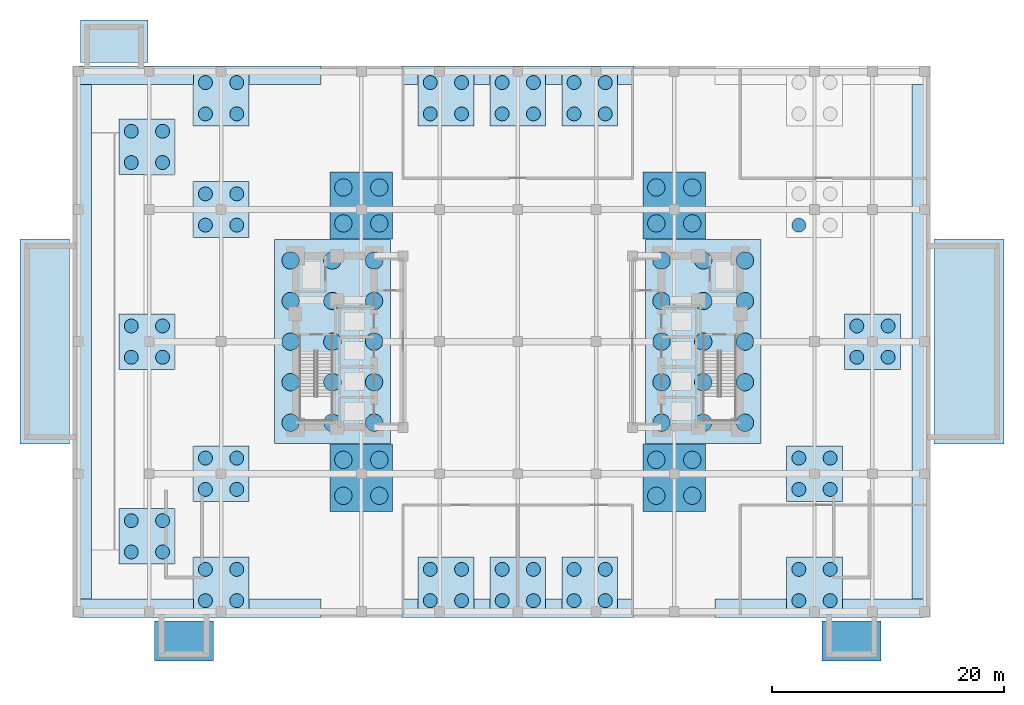
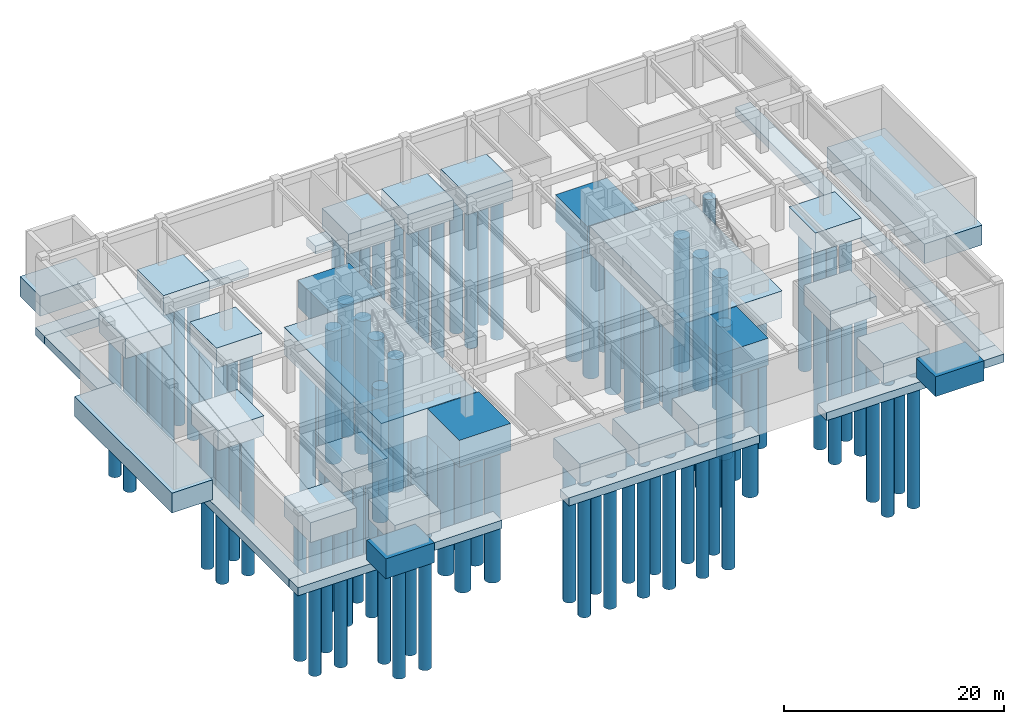
# One storey, part 1 of 11: 111 piles, 34 footings.
"""IFC4 building model written with IfcOpenShell, lengths in metres."""

from ifc_helpers import new_model, si_unit, direction, frame, origin, origin_2d, place, context, subcontext, project, spatial, polyline, circle, outline, extrude, material, material_profile, profile_set, type_object, element, save


model = new_model("IFC4")

# Units and contexts
model_context = context("Model", 3, precision=1e-05, world=origin(), true_north=direction((0.0, 1.0)))
body_context = subcontext(model_context, "Body", "Model", "MODEL_VIEW")
ifc_project = project(units=[si_unit("LENGTHUNIT", "METRE"), si_unit("AREAUNIT", "SQUARE_METRE"), si_unit("VOLUMEUNIT", "CUBIC_METRE"), si_unit("PLANEANGLEUNIT", "RADIAN"), si_unit("MASSUNIT", "GRAM", prefix="KILO")], contexts=[model_context])

# Site, building, storey
site_placement = place(None, origin())
site = spatial("IfcSite", under=ifc_project, at=site_placement, CompositionType="ELEMENT")
building_placement = place(site_placement, origin())
building = spatial("IfcBuilding", under=site, at=building_placement, Name="Voryun Gate Residences", CompositionType="ELEMENT")
storey_placement = place(building_placement, frame((0.0, 0.0, -10.39990234375)))
storey = spatial("IfcBuildingStorey", under=building, at=storey_placement, Name="B02", CompositionType="ELEMENT", Elevation=-10.39990234375)

# Footings
ifc_material_1 = material(Name="Concrete C50/60", Category="concrete")
footing_type_1 = type_object("IfcFootingType", Name="FTG_PC1_CORE", PredefinedType="PILE_CAP", material=ifc_material_1)
footing_1_placement = place(storey_placement, frame((0.0, 0.0, -3.0)))
element("IfcFooting", 1, at=footing_1_placement, inside=storey, type_object=footing_type_1, Name="Pile cap PC-CORE-W", PredefinedType="PILE_CAP", context=body_context, shape_type="SweptSolid", body=[
    extrude(outline(polyline([(-21.0, -8.800048828125), (-11.0, -8.800048828125), (-11.0, 8.800048828125), (-21.0, 8.800048828125), (-21.0, -8.800048828125)])), origin(), (0.0, 0.0, 1.0), 3.0),
])
footing_2_placement = place(storey_placement, frame((0.0, 0.0, -3.0)))
element("IfcFooting", 2, at=footing_2_placement, inside=storey, type_object=footing_type_1, Name="Pile cap PC-CORE-E", PredefinedType="PILE_CAP", context=body_context, shape_type="SweptSolid", body=[
    extrude(outline(polyline([(11.0, -8.800048828125), (21.0, -8.800048828125), (21.0, 8.800048828125), (11.0, 8.800048828125), (11.0, -8.800048828125)])), origin(), (0.0, 0.0, 1.0), 3.0),
])
ifc_material_2 = material(Name="Concrete C50/60", Category="concrete")
footing_type_2 = type_object("IfcFootingType", Name="FTG_PC2_ARCH", PredefinedType="PILE_CAP", material=ifc_material_2)
footing_3_placement = place(storey_placement, frame((0.0, 0.0, -3.0)))
element("IfcFooting", 3, at=footing_3_placement, inside=storey, type_object=footing_type_2, Name="Pile cap PC-ARCH-WS", PredefinedType="PILE_CAP", context=body_context, shape_type="SweptSolid", body=[
    extrude(outline(polyline([(-16.199951171875, -14.64990234375), (-10.800048828125, -14.64990234375), (-10.800048828125, -8.85009765625), (-16.199951171875, -8.85009765625), (-16.199951171875, -14.64990234375)])), origin(), (0.0, 0.0, 1.0), 3.0),
])
footing_4_placement = place(storey_placement, frame((0.0, 0.0, -3.0)))
element("IfcFooting", 4, at=footing_4_placement, inside=storey, type_object=footing_type_2, Name="Pile cap PC-ARCH-WN", PredefinedType="PILE_CAP", context=body_context, shape_type="SweptSolid", body=[
    extrude(outline(polyline([(-16.199951171875, 8.85009765625), (-10.800048828125, 8.85009765625), (-10.800048828125, 14.64990234375), (-16.199951171875, 14.64990234375), (-16.199951171875, 8.85009765625)])), origin(), (0.0, 0.0, 1.0), 3.0),
])
footing_5_placement = place(storey_placement, frame((0.0, 0.0, -3.0)))
element("IfcFooting", 5, at=footing_5_placement, inside=storey, type_object=footing_type_2, Name="Pile cap PC-ARCH-ES", PredefinedType="PILE_CAP", context=body_context, shape_type="SweptSolid", body=[
    extrude(outline(polyline([(10.800048828125, -14.64990234375), (16.199951171875, -14.64990234375), (16.199951171875, -8.85009765625), (10.800048828125, -8.85009765625), (10.800048828125, -14.64990234375)])), origin(), (0.0, 0.0, 1.0), 3.0),
])
footing_6_placement = place(storey_placement, frame((0.0, 0.0, -3.0)))
element("IfcFooting", 6, at=footing_6_placement, inside=storey, type_object=footing_type_2, Name="Pile cap PC-ARCH-EN", PredefinedType="PILE_CAP", context=body_context, shape_type="SweptSolid", body=[
    extrude(outline(polyline([(10.800048828125, 8.85009765625), (16.199951171875, 8.85009765625), (16.199951171875, 14.64990234375), (10.800048828125, 14.64990234375), (10.800048828125, 8.85009765625)])), origin(), (0.0, 0.0, 1.0), 3.0),
])
ifc_material_3 = material(Name="Concrete C50/60", Category="concrete")
footing_type_3 = type_object("IfcFootingType", Name="FTG_PC3_PERIM", PredefinedType="PILE_CAP", material=ifc_material_3)
footing_7_placement = place(storey_placement, frame((0.0, 0.0, -2.2001953125)))
element("IfcFooting", 7, at=footing_7_placement, inside=storey, type_object=footing_type_3, Name="Pile cap PC-PERIM-01", PredefinedType="PILE_CAP", context=body_context, shape_type="SweptSolid", body=[
    extrude(outline(polyline([(-34.39990234375, -19.199951171875), (-29.60009765625, -19.199951171875), (-29.60009765625, -14.39990234375), (-34.39990234375, -14.39990234375), (-34.39990234375, -19.199951171875)])), origin(), (0.0, 0.0, 1.0), 2.2001953125),
])
footing_8_placement = place(storey_placement, frame((0.0, 0.0, -2.2001953125)))
element("IfcFooting", 8, at=footing_8_placement, inside=storey, type_object=footing_type_3, Name="Pile cap PC-PERIM-02", PredefinedType="PILE_CAP", context=body_context, shape_type="SweptSolid", body=[
    extrude(outline(polyline([(-34.39990234375, -2.39990234375), (-29.60009765625, -2.39990234375), (-29.60009765625, 2.39990234375), (-34.39990234375, 2.39990234375), (-34.39990234375, -2.39990234375)])), origin(), (0.0, 0.0, 1.0), 2.2001953125),
])
footing_9_placement = place(storey_placement, frame((0.0, 0.0, -2.2001953125)))
element("IfcFooting", 9, at=footing_9_placement, inside=storey, type_object=footing_type_3, Name="Pile cap PC-PERIM-03", PredefinedType="PILE_CAP", context=body_context, shape_type="SweptSolid", body=[
    extrude(outline(polyline([(-34.39990234375, 14.39990234375), (-29.60009765625, 14.39990234375), (-29.60009765625, 19.199951171875), (-34.39990234375, 19.199951171875), (-34.39990234375, 14.39990234375)])), origin(), (0.0, 0.0, 1.0), 2.2001953125),
])
footing_10_placement = place(storey_placement, frame((0.0, 0.0, -2.2001953125)))
element("IfcFooting", 10, at=footing_10_placement, inside=storey, type_object=footing_type_3, Name="Pile cap PC-PERIM-04", PredefinedType="PILE_CAP", context=body_context, shape_type="SweptSolid", body=[
    extrude(outline(polyline([(-28.0, -23.39990234375), (-23.199951171875, -23.39990234375), (-23.199951171875, -18.60009765625), (-28.0, -18.60009765625), (-28.0, -23.39990234375)])), origin(), (0.0, 0.0, 1.0), 2.2001953125),
])
footing_11_placement = place(storey_placement, frame((0.0, 0.0, -2.2001953125)))
element("IfcFooting", 11, at=footing_11_placement, inside=storey, type_object=footing_type_3, Name="Pile cap PC-PERIM-05", PredefinedType="PILE_CAP", context=body_context, shape_type="SweptSolid", body=[
    extrude(outline(polyline([(-28.0, -13.800048828125), (-23.199951171875, -13.800048828125), (-23.199951171875, -9.0), (-28.0, -9.0), (-28.0, -13.800048828125)])), origin(), (0.0, 0.0, 1.0), 2.2001953125),
])
footing_12_placement = place(storey_placement, frame((0.0, 0.0, -2.2001953125)))
element("IfcFooting", 12, at=footing_12_placement, inside=storey, type_object=footing_type_3, Name="Pile cap PC-PERIM-06", PredefinedType="PILE_CAP", context=body_context, shape_type="SweptSolid", body=[
    extrude(outline(polyline([(-28.0, 9.0), (-23.199951171875, 9.0), (-23.199951171875, 13.800048828125), (-28.0, 13.800048828125), (-28.0, 9.0)])), origin(), (0.0, 0.0, 1.0), 2.2001953125),
])
footing_13_placement = place(storey_placement, frame((0.0, 0.0, -2.2001953125)))
element("IfcFooting", 13, at=footing_13_placement, inside=storey, type_object=footing_type_3, Name="Pile cap PC-PERIM-07", PredefinedType="PILE_CAP", context=body_context, shape_type="SweptSolid", body=[
    extrude(outline(polyline([(-28.0, 18.60009765625), (-23.199951171875, 18.60009765625), (-23.199951171875, 23.39990234375), (-28.0, 23.39990234375), (-28.0, 18.60009765625)])), origin(), (0.0, 0.0, 1.0), 2.2001953125),
])
footing_14_placement = place(storey_placement, frame((0.0, 0.0, -2.2001953125)))
element("IfcFooting", 14, at=footing_14_placement, inside=storey, type_object=footing_type_3, Name="Pile cap PC-PERIM-08", PredefinedType="PILE_CAP", context=body_context, shape_type="SweptSolid", body=[
    extrude(outline(polyline([(-8.60009765625, -23.39990234375), (-3.800048828125, -23.39990234375), (-3.800048828125, -18.60009765625), (-8.60009765625, -18.60009765625), (-8.60009765625, -23.39990234375)])), origin(), (0.0, 0.0, 1.0), 2.2001953125),
])
footing_15_placement = place(storey_placement, frame((0.0, 0.0, -2.2001953125)))
element("IfcFooting", 15, at=footing_15_placement, inside=storey, type_object=footing_type_3, Name="Pile cap PC-PERIM-09", PredefinedType="PILE_CAP", context=body_context, shape_type="SweptSolid", body=[
    extrude(outline(polyline([(-2.39990234375, -23.39990234375), (2.39990234375, -23.39990234375), (2.39990234375, -18.60009765625), (-2.39990234375, -18.60009765625), (-2.39990234375, -23.39990234375)])), origin(), (0.0, 0.0, 1.0), 2.2001953125),
])
footing_16_placement = place(storey_placement, frame((0.0, 0.0, -2.2001953125)))
element("IfcFooting", 16, at=footing_16_placement, inside=storey, type_object=footing_type_3, Name="Pile cap PC-PERIM-10", PredefinedType="PILE_CAP", context=body_context, shape_type="SweptSolid", body=[
    extrude(outline(polyline([(3.800048828125, -23.39990234375), (8.60009765625, -23.39990234375), (8.60009765625, -18.60009765625), (3.800048828125, -18.60009765625), (3.800048828125, -23.39990234375)])), origin(), (0.0, 0.0, 1.0), 2.2001953125),
])
footing_17_placement = place(storey_placement, frame((0.0, 0.0, -2.2001953125)))
element("IfcFooting", 17, at=footing_17_placement, inside=storey, type_object=footing_type_3, Name="Pile cap PC-PERIM-11", PredefinedType="PILE_CAP", context=body_context, shape_type="SweptSolid", body=[
    extrude(outline(polyline([(-8.60009765625, 18.60009765625), (-3.800048828125, 18.60009765625), (-3.800048828125, 23.39990234375), (-8.60009765625, 23.39990234375), (-8.60009765625, 18.60009765625)])), origin(), (0.0, 0.0, 1.0), 2.2001953125),
])
footing_18_placement = place(storey_placement, frame((0.0, 0.0, -2.2001953125)))
element("IfcFooting", 18, at=footing_18_placement, inside=storey, type_object=footing_type_3, Name="Pile cap PC-PERIM-12", PredefinedType="PILE_CAP", context=body_context, shape_type="SweptSolid", body=[
    extrude(outline(polyline([(-2.39990234375, 18.60009765625), (2.39990234375, 18.60009765625), (2.39990234375, 23.39990234375), (-2.39990234375, 23.39990234375), (-2.39990234375, 18.60009765625)])), origin(), (0.0, 0.0, 1.0), 2.2001953125),
])
footing_19_placement = place(storey_placement, frame((0.0, 0.0, -2.2001953125)))
element("IfcFooting", 19, at=footing_19_placement, inside=storey, type_object=footing_type_3, Name="Pile cap PC-PERIM-13", PredefinedType="PILE_CAP", context=body_context, shape_type="SweptSolid", body=[
    extrude(outline(polyline([(3.800048828125, 18.60009765625), (8.60009765625, 18.60009765625), (8.60009765625, 23.39990234375), (3.800048828125, 23.39990234375), (3.800048828125, 18.60009765625)])), origin(), (0.0, 0.0, 1.0), 2.2001953125),
])
footing_20_placement = place(storey_placement, frame((0.0, 0.0, -2.2001953125)))
element("IfcFooting", 20, at=footing_20_placement, inside=storey, type_object=footing_type_3, Name="Pile cap PC-PERIM-14", PredefinedType="PILE_CAP", context=body_context, shape_type="SweptSolid", body=[
    extrude(outline(polyline([(23.199951171875, -23.39990234375), (28.0, -23.39990234375), (28.0, -18.60009765625), (23.199951171875, -18.60009765625), (23.199951171875, -23.39990234375)])), origin(), (0.0, 0.0, 1.0), 2.2001953125),
])
footing_21_placement = place(storey_placement, frame((0.0, 0.0, -2.2001953125)))
element("IfcFooting", 21, at=footing_21_placement, inside=storey, type_object=footing_type_3, Name="Pile cap PC-PERIM-15", PredefinedType="PILE_CAP", context=body_context, shape_type="SweptSolid", body=[
    extrude(outline(polyline([(23.199951171875, -13.800048828125), (28.0, -13.800048828125), (28.0, -9.0), (23.199951171875, -9.0), (23.199951171875, -13.800048828125)])), origin(), (0.0, 0.0, 1.0), 2.2001953125),
])
footing_22_placement = place(storey_placement, frame((0.0, 0.0, -2.2001953125)))
element("IfcFooting", 22, at=footing_22_placement, inside=storey, type_object=footing_type_3, Name="Pile cap PC-PERIM-18", PredefinedType="PILE_CAP", context=body_context, shape_type="SweptSolid", body=[
    extrude(outline(polyline([(28.199951171875, -2.39990234375), (33.0, -2.39990234375), (33.0, 2.39990234375), (28.199951171875, 2.39990234375), (28.199951171875, -2.39990234375)])), origin(), (0.0, 0.0, 1.0), 2.2001953125),
])
ifc_material_4 = material(Name="Concrete C50/60", Category="concrete")
footing_type_4 = type_object("IfcFootingType", Name="FTG_STRIP_RET", PredefinedType="STRIP_FOOTING", material=ifc_material_4)
footing_23_placement = place(storey_placement, frame((0.0, 0.0, -3.900146484375)))
element("IfcFooting", 23, at=footing_23_placement, inside=storey, type_object=footing_type_4, Name="Retaining wall strip footing FTG-SF-S1", PredefinedType="STRIP_FOOTING", context=body_context, shape_type="SweptSolid", body=[
    extrude(outline(polyline([(-38.39990234375, -23.800048828125), (-17.0, -23.800048828125), (-17.0, -22.199951171875), (-38.39990234375, -22.199951171875), (-38.39990234375, -23.800048828125)])), origin(), (0.0, 0.0, 1.0), 0.900146484375),
])
footing_24_placement = place(storey_placement, frame((0.0, 0.0, -3.900146484375)))
element("IfcFooting", 24, at=footing_24_placement, inside=storey, type_object=footing_type_4, Name="Retaining wall strip footing FTG-SF-S2", PredefinedType="STRIP_FOOTING", context=body_context, shape_type="SweptSolid", body=[
    extrude(outline(polyline([(-10.0, -23.800048828125), (10.0, -23.800048828125), (10.0, -22.199951171875), (-10.0, -22.199951171875), (-10.0, -23.800048828125)])), origin(), (0.0, 0.0, 1.0), 0.900146484375),
])
footing_25_placement = place(storey_placement, frame((0.0, 0.0, -3.900146484375)))
element("IfcFooting", 25, at=footing_25_placement, inside=storey, type_object=footing_type_4, Name="Retaining wall strip footing FTG-SF-S3", PredefinedType="STRIP_FOOTING", context=body_context, shape_type="SweptSolid", body=[
    extrude(outline(polyline([(17.0, -23.800048828125), (35.60009765625, -23.800048828125), (35.60009765625, -22.199951171875), (17.0, -22.199951171875), (17.0, -23.800048828125)])), origin(), (0.0, 0.0, 1.0), 0.900146484375),
])
footing_26_placement = place(storey_placement, frame((0.0, 0.0, -3.900146484375)))
element("IfcFooting", 26, at=footing_26_placement, inside=storey, type_object=footing_type_4, Name="Retaining wall strip footing FTG-SF-N1", PredefinedType="STRIP_FOOTING", context=body_context, shape_type="SweptSolid", body=[
    extrude(outline(polyline([(-38.39990234375, 22.199951171875), (-17.0, 22.199951171875), (-17.0, 23.800048828125), (-38.39990234375, 23.800048828125), (-38.39990234375, 22.199951171875)])), origin(), (0.0, 0.0, 1.0), 0.900146484375),
])
footing_27_placement = place(storey_placement, frame((0.0, 0.0, -3.900146484375)))
element("IfcFooting", 27, at=footing_27_placement, inside=storey, type_object=footing_type_4, Name="Retaining wall strip footing FTG-SF-N2", PredefinedType="STRIP_FOOTING", context=body_context, shape_type="SweptSolid", body=[
    extrude(outline(polyline([(-10.0, 22.199951171875), (10.0, 22.199951171875), (10.0, 23.800048828125), (-10.0, 23.800048828125), (-10.0, 22.199951171875)])), origin(), (0.0, 0.0, 1.0), 0.900146484375),
])
footing_28_placement = place(storey_placement, frame((0.0, 0.0, -3.900146484375)))
element("IfcFooting", 28, at=footing_28_placement, inside=storey, type_object=footing_type_4, Name="Retaining wall strip footing FTG-SF-W1", PredefinedType="STRIP_FOOTING", context=body_context, shape_type="SweptSolid", body=[
    extrude(outline(polyline([(-38.39990234375, -22.199951171875), (-36.800048828125, -22.199951171875), (-36.800048828125, 22.199951171875), (-38.39990234375, 22.199951171875), (-38.39990234375, -22.199951171875)])), origin(), (0.0, 0.0, 1.0), 0.900146484375),
])
footing_29_placement = place(storey_placement, frame((0.0, 0.0, -3.900146484375)))
element("IfcFooting", 29, at=footing_29_placement, inside=storey, type_object=footing_type_4, Name="Retaining wall strip footing FTG-SF-E1", PredefinedType="STRIP_FOOTING", context=body_context, shape_type="SweptSolid", body=[
    extrude(outline(polyline([(34.0, -22.199951171875), (35.60009765625, -22.199951171875), (35.60009765625, 22.199951171875), (34.0, 22.199951171875), (34.0, -22.199951171875)])), origin(), (0.0, 0.0, 1.0), 0.900146484375),
])
footing_30_placement = place(storey_placement, frame((0.0, 0.0, -2.2001953125)))
element("IfcFooting", 30, at=footing_30_placement, inside=storey, type_object=footing_type_4, Name="Apron frost-wall strip footing SLB-PAV-VEH-APRON", PredefinedType="STRIP_FOOTING", context=body_context, shape_type="SweptSolid", body=[
    extrude(outline(polyline([(-37.75, 24.10009765625), (-31.89990234375, 24.10009765625), (-31.89990234375, 27.75), (-37.75, 27.75), (-37.75, 24.10009765625)])), origin(), (0.0, 0.0, 1.0), 2.2001953125),
])
footing_31_placement = place(storey_placement, frame((0.0, 0.0, -2.2001953125)))
element("IfcFooting", 31, at=footing_31_placement, inside=storey, type_object=footing_type_4, Name="Apron frost-wall strip footing SLB-PAV-EXIT-P1", PredefinedType="STRIP_FOOTING", context=body_context, shape_type="SweptSolid", body=[
    extrude(outline(polyline([(-31.35009765625, -27.550048828125), (-26.25, -27.550048828125), (-26.25, -24.10009765625), (-31.35009765625, -24.10009765625), (-31.35009765625, -27.550048828125)])), origin(), (0.0, 0.0, 1.0), 2.2001953125),
])
footing_32_placement = place(storey_placement, frame((0.0, 0.0, -2.2001953125)))
element("IfcFooting", 32, at=footing_32_placement, inside=storey, type_object=footing_type_4, Name="Apron frost-wall strip footing SLB-PAV-EXIT-P2", PredefinedType="STRIP_FOOTING", context=body_context, shape_type="SweptSolid", body=[
    extrude(outline(polyline([(26.25, -27.550048828125), (31.35009765625, -27.550048828125), (31.35009765625, -24.10009765625), (26.25, -24.10009765625), (26.25, -27.550048828125)])), origin(), (0.0, 0.0, 1.0), 2.2001953125),
])
footing_33_placement = place(storey_placement, frame((0.0, 0.0, -2.2001953125)))
element("IfcFooting", 33, at=footing_33_placement, inside=storey, type_object=footing_type_4, Name="Plaza frost-wall strip footing SLB-PAV-WEST-PLAZA", PredefinedType="STRIP_FOOTING", context=body_context, shape_type="SweptSolid", body=[
    extrude(outline(polyline([(-42.949951171875, -8.85009765625), (-38.699951171875, -8.85009765625), (-38.699951171875, 8.85009765625), (-42.949951171875, 8.85009765625), (-42.949951171875, -8.85009765625)])), origin(), (0.0, 0.0, 1.0), 2.2001953125),
])
footing_34_placement = place(storey_placement, frame((0.0, 0.0, -2.2001953125)))
element("IfcFooting", 34, at=footing_34_placement, inside=storey, type_object=footing_type_4, Name="Plaza frost-wall strip footing SLB-PAV-EAST-PLAZA", PredefinedType="STRIP_FOOTING", context=body_context, shape_type="SweptSolid", body=[
    extrude(outline(polyline([(35.89990234375, -8.85009765625), (41.949951171875, -8.85009765625), (41.949951171875, 8.85009765625), (35.89990234375, 8.85009765625), (35.89990234375, -8.85009765625)])), origin(), (0.0, 0.0, 1.0), 2.2001953125),
])

# Piles
ifc_material_5 = material(Name="Concrete C50/60", Category="concrete")
ifc_material_profile_1 = material_profile(ifc_material_5, circle(Radius=0.60009765625, at=origin_2d()), Name="PILE-D1200")
ifc_profile_set_1 = profile_set([ifc_material_profile_1], Name="Concrete C50/60")
pile_type_1 = type_object("IfcPileType", Name="PILE_BORED_1200", PredefinedType="BORED", material=ifc_profile_set_1)
for number, where, z_axis, x_axis, name in (
    (35, (-33.35009765625, -18.14990234375, -2.050048828125), (0.0, 0.0, -1.0), (1.0, 0.0, 0.0), "Bored pile PC-PERIM-01-11"),
    (36, (-33.35009765625, -15.449951171875, -2.050048828125), (0.0, 0.0, -1.0), (1.0, 0.0, 0.0), "Bored pile PC-PERIM-01-12"),
    (37, (-30.64990234375, -18.14990234375, -2.050048828125), (0.0, 0.0, -1.0), (1.0, 0.0, 0.0), "Bored pile PC-PERIM-01-21"),
    (38, (-30.64990234375, -15.449951171875, -2.050048828125), (0.0, 0.0, -1.0), (1.0, 0.0, 0.0), "Bored pile PC-PERIM-01-22"),
    (39, (-33.35009765625, -1.35009765625, -2.050048828125), (0.0, 0.0, -1.0), (1.0, 0.0, 0.0), "Bored pile PC-PERIM-02-11"),
    (40, (-33.35009765625, 1.35009765625, -2.050048828125), (0.0, 0.0, -1.0), (1.0, 0.0, 0.0), "Bored pile PC-PERIM-02-12"),
    (41, (-30.64990234375, -1.35009765625, -2.050048828125), (0.0, 0.0, -1.0), (1.0, 0.0, 0.0), "Bored pile PC-PERIM-02-21"),
    (42, (-30.64990234375, 1.35009765625, -2.050048828125), (0.0, 0.0, -1.0), (1.0, 0.0, 0.0), "Bored pile PC-PERIM-02-22"),
    (43, (-33.35009765625, 15.449951171875, -2.050048828125), (0.0, 0.0, -1.0), (1.0, 0.0, 0.0), "Bored pile PC-PERIM-03-11"),
    (44, (-33.35009765625, 18.14990234375, -2.050048828125), (0.0, 0.0, -1.0), (1.0, 0.0, 0.0), "Bored pile PC-PERIM-03-12"),
    (45, (-30.64990234375, 15.449951171875, -2.050048828125), (0.0, 0.0, -1.0), (1.0, 0.0, 0.0), "Bored pile PC-PERIM-03-21"),
    (46, (-30.64990234375, 18.14990234375, -2.050048828125), (0.0, 0.0, -1.0), (1.0, 0.0, 0.0), "Bored pile PC-PERIM-03-22"),
    (47, (-26.949951171875, -22.35009765625, -2.050048828125), (0.0, 0.0, -1.0), (1.0, 0.0, 0.0), "Bored pile PC-PERIM-04-11"),
    (48, (-26.949951171875, -19.64990234375, -2.050048828125), (0.0, 0.0, -1.0), (1.0, 0.0, 0.0), "Bored pile PC-PERIM-04-12"),
    (49, (-24.25, -22.35009765625, -2.050048828125), (0.0, 0.0, -1.0), (1.0, 0.0, 0.0), "Bored pile PC-PERIM-04-21"),
    (50, (-24.25, -19.64990234375, -2.050048828125), (0.0, 0.0, -1.0), (1.0, 0.0, 0.0), "Bored pile PC-PERIM-04-22"),
    (51, (-26.949951171875, -12.75, -2.050048828125), (0.0, 0.0, -1.0), (1.0, 0.0, 0.0), "Bored pile PC-PERIM-05-11"),
    (52, (-26.949951171875, -10.050048828125, -2.050048828125), (0.0, 0.0, -1.0), (1.0, 0.0, 0.0), "Bored pile PC-PERIM-05-12"),
    (53, (-24.25, -12.75, -2.050048828125), (0.0, 0.0, -1.0), (1.0, 0.0, 0.0), "Bored pile PC-PERIM-05-21"),
    (54, (-24.25, -10.050048828125, -2.050048828125), (0.0, 0.0, -1.0), (1.0, 0.0, 0.0), "Bored pile PC-PERIM-05-22"),
    (55, (-26.949951171875, 10.050048828125, -2.050048828125), (0.0, 0.0, -1.0), (1.0, 0.0, 0.0), "Bored pile PC-PERIM-06-11"),
    (56, (-26.949951171875, 12.75, -2.050048828125), (0.0, 0.0, -1.0), (1.0, 0.0, 0.0), "Bored pile PC-PERIM-06-12"),
    (57, (-24.25, 10.050048828125, -2.050048828125), (0.0, 0.0, -1.0), (1.0, 0.0, 0.0), "Bored pile PC-PERIM-06-21"),
    (58, (-24.25, 12.75, -2.050048828125), (0.0, 0.0, -1.0), (1.0, 0.0, 0.0), "Bored pile PC-PERIM-06-22"),
    (59, (-26.949951171875, 19.64990234375, -2.050048828125), (0.0, 0.0, -1.0), (1.0, 0.0, 0.0), "Bored pile PC-PERIM-07-11"),
    (60, (-26.949951171875, 22.35009765625, -2.050048828125), (0.0, 0.0, -1.0), (1.0, 0.0, 0.0), "Bored pile PC-PERIM-07-12"),
    (61, (-24.25, 19.64990234375, -2.050048828125), (0.0, 0.0, -1.0), (1.0, 0.0, 0.0), "Bored pile PC-PERIM-07-21"),
    (62, (-24.25, 22.35009765625, -2.050048828125), (0.0, 0.0, -1.0), (1.0, 0.0, 0.0), "Bored pile PC-PERIM-07-22"),
    (63, (-7.550048828125, -22.35009765625, -2.050048828125), (0.0, 0.0, -1.0), (1.0, 0.0, 0.0), "Bored pile PC-PERIM-08-11"),
    (64, (-7.550048828125, -19.64990234375, -2.050048828125), (0.0, 0.0, -1.0), (1.0, 0.0, 0.0), "Bored pile PC-PERIM-08-12"),
    (65, (-4.85009765625, -22.35009765625, -2.050048828125), (0.0, 0.0, -1.0), (1.0, 0.0, 0.0), "Bored pile PC-PERIM-08-21"),
    (66, (-4.85009765625, -19.64990234375, -2.050048828125), (0.0, 0.0, -1.0), (1.0, 0.0, 0.0), "Bored pile PC-PERIM-08-22"),
    (67, (-1.35009765625, -22.35009765625, -2.050048828125), (0.0, 0.0, -1.0), (1.0, 0.0, 0.0), "Bored pile PC-PERIM-09-11"),
    (68, (-1.35009765625, -19.64990234375, -2.050048828125), (0.0, 0.0, -1.0), (1.0, 0.0, 0.0), "Bored pile PC-PERIM-09-12"),
    (69, (1.35009765625, -22.35009765625, -2.050048828125), (0.0, 0.0, -1.0), (1.0, 0.0, 0.0), "Bored pile PC-PERIM-09-21"),
    (70, (1.35009765625, -19.64990234375, -2.050048828125), (0.0, 0.0, -1.0), (1.0, 0.0, 0.0), "Bored pile PC-PERIM-09-22"),
    (71, (4.85009765625, -22.35009765625, -2.050048828125), (0.0, 0.0, -1.0), (1.0, 0.0, 0.0), "Bored pile PC-PERIM-10-11"),
    (72, (4.85009765625, -19.64990234375, -2.050048828125), (0.0, 0.0, -1.0), (1.0, 0.0, 0.0), "Bored pile PC-PERIM-10-12"),
    (73, (7.550048828125, -22.35009765625, -2.050048828125), (0.0, 0.0, -1.0), (1.0, 0.0, 0.0), "Bored pile PC-PERIM-10-21"),
    (74, (7.550048828125, -19.64990234375, -2.050048828125), (0.0, 0.0, -1.0), (1.0, 0.0, 0.0), "Bored pile PC-PERIM-10-22"),
    (75, (-7.550048828125, 19.64990234375, -2.050048828125), (0.0, 0.0, -1.0), (1.0, 0.0, 0.0), "Bored pile PC-PERIM-11-11"),
    (76, (-7.550048828125, 22.35009765625, -2.050048828125), (0.0, 0.0, -1.0), (1.0, 0.0, 0.0), "Bored pile PC-PERIM-11-12"),
    (77, (-4.85009765625, 19.64990234375, -2.050048828125), (0.0, 0.0, -1.0), (1.0, 0.0, 0.0), "Bored pile PC-PERIM-11-21"),
    (78, (-4.85009765625, 22.35009765625, -2.050048828125), (0.0, 0.0, -1.0), (1.0, 0.0, 0.0), "Bored pile PC-PERIM-11-22"),
    (79, (-1.35009765625, 19.64990234375, -2.050048828125), (0.0, 0.0, -1.0), (1.0, 0.0, 0.0), "Bored pile PC-PERIM-12-11"),
    (80, (-1.35009765625, 22.35009765625, -2.050048828125), (0.0, 0.0, -1.0), (1.0, 0.0, 0.0), "Bored pile PC-PERIM-12-12"),
    (81, (1.35009765625, 19.64990234375, -2.050048828125), (0.0, 0.0, -1.0), (1.0, 0.0, 0.0), "Bored pile PC-PERIM-12-21"),
    (82, (1.35009765625, 22.35009765625, -2.050048828125), (0.0, 0.0, -1.0), (1.0, 0.0, 0.0), "Bored pile PC-PERIM-12-22"),
    (83, (4.85009765625, 19.64990234375, -2.050048828125), (0.0, 0.0, -1.0), (1.0, 0.0, 0.0), "Bored pile PC-PERIM-13-11"),
    (84, (4.85009765625, 22.35009765625, -2.050048828125), (0.0, 0.0, -1.0), (1.0, 0.0, 0.0), "Bored pile PC-PERIM-13-12"),
    (85, (7.550048828125, 19.64990234375, -2.050048828125), (0.0, 0.0, -1.0), (1.0, 0.0, 0.0), "Bored pile PC-PERIM-13-21"),
    (86, (7.550048828125, 22.35009765625, -2.050048828125), (0.0, 0.0, -1.0), (1.0, 0.0, 0.0), "Bored pile PC-PERIM-13-22"),
    (87, (24.25, -22.35009765625, -2.050048828125), (0.0, 0.0, -1.0), (1.0, 0.0, 0.0), "Bored pile PC-PERIM-14-11"),
    (88, (24.25, -19.64990234375, -2.050048828125), (0.0, 0.0, -1.0), (1.0, 0.0, 0.0), "Bored pile PC-PERIM-14-12"),
    (89, (26.949951171875, -22.35009765625, -2.050048828125), (0.0, 0.0, -1.0), (1.0, 0.0, 0.0), "Bored pile PC-PERIM-14-21"),
    (90, (26.949951171875, -19.64990234375, -2.050048828125), (0.0, 0.0, -1.0), (1.0, 0.0, 0.0), "Bored pile PC-PERIM-14-22"),
    (91, (24.25, -12.75, -2.050048828125), (0.0, 0.0, -1.0), (1.0, 0.0, 0.0), "Bored pile PC-PERIM-15-11"),
    (92, (24.25, -10.050048828125, -2.050048828125), (0.0, 0.0, -1.0), (1.0, 0.0, 0.0), "Bored pile PC-PERIM-15-12"),
    (93, (26.949951171875, -12.75, -2.050048828125), (0.0, 0.0, -1.0), (1.0, 0.0, 0.0), "Bored pile PC-PERIM-15-21"),
    (94, (26.949951171875, -10.050048828125, -2.050048828125), (0.0, 0.0, -1.0), (1.0, 0.0, 0.0), "Bored pile PC-PERIM-15-22"),
    (95, (24.25, 10.050048828125, -2.050048828125), (0.0, 0.0, -1.0), (1.0, 0.0, 0.0), "Bored pile PC-PERIM-16-11"),
    (96, (29.25, -1.35009765625, -2.050048828125), (0.0, 0.0, -1.0), (1.0, 0.0, 0.0), "Bored pile PC-PERIM-18-11"),
    (97, (29.25, 1.35009765625, -2.050048828125), (0.0, 0.0, -1.0), (1.0, 0.0, 0.0), "Bored pile PC-PERIM-18-12"),
    (98, (31.949951171875, -1.35009765625, -2.050048828125), (0.0, 0.0, -1.0), (1.0, 0.0, 0.0), "Bored pile PC-PERIM-18-21"),
    (99, (31.949951171875, 1.35009765625, -2.050048828125), (0.0, 0.0, -1.0), (1.0, 0.0, 0.0), "Bored pile PC-PERIM-18-22"),
):
    element("IfcPile", number, at=place(storey_placement, frame(where, z_axis=z_axis, x_axis=x_axis)), inside=storey, type_object=pile_type_1, Name=name, PredefinedType="BORED", context=body_context, shape_type="SweptSolid", body=[
        extrude(circle(Radius=0.60009765625, at=origin_2d()), origin(), (0.0, 0.0, 1.0), 15.550048828125),
    ])
ifc_material_6 = material(Name="Concrete C50/60", Category="concrete")
ifc_material_profile_2 = material_profile(ifc_material_6, circle(Radius=0.75, at=origin_2d()), Name="PILE-D1500")
ifc_profile_set_2 = profile_set([ifc_material_profile_2], Name="Concrete C50/60")
pile_type_2 = type_object("IfcPileType", Name="PILE_BORED_1500", PredefinedType="BORED", material=ifc_profile_set_2)
for number, where, z_axis, x_axis, name in (
    (100, (-19.60009765625, -7.0, -2.85009765625), (0.0, 0.0, -1.0), (1.0, 0.0, 0.0), "Bored pile PC-CORE-W-11"),
    (101, (-19.60009765625, -3.5, -2.85009765625), (0.0, 0.0, -1.0), (1.0, 0.0, 0.0), "Bored pile PC-CORE-W-12"),
    (102, (-19.60009765625, 0.0, -2.85009765625), (0.0, 0.0, -1.0), (1.0, 0.0, 0.0), "Bored pile PC-CORE-W-13"),
    (103, (-19.60009765625, 3.5, -2.85009765625), (0.0, 0.0, -1.0), (1.0, 0.0, 0.0), "Bored pile PC-CORE-W-14"),
    (104, (-19.60009765625, 7.0, -2.85009765625), (0.0, 0.0, -1.0), (1.0, 0.0, 0.0), "Bored pile PC-CORE-W-15"),
    (105, (-16.0, -7.0, -2.85009765625), (0.0, 0.0, -1.0), (1.0, 0.0, 0.0), "Bored pile PC-CORE-W-21"),
    (106, (-16.0, -3.5, -2.85009765625), (0.0, 0.0, -1.0), (1.0, 0.0, 0.0), "Bored pile PC-CORE-W-22"),
    (107, (-16.0, 0.0, -2.85009765625), (0.0, 0.0, -1.0), (1.0, 0.0, 0.0), "Bored pile PC-CORE-W-23"),
    (108, (-16.0, 3.5, -2.85009765625), (0.0, 0.0, -1.0), (1.0, 0.0, 0.0), "Bored pile PC-CORE-W-24"),
    (109, (-16.0, 7.0, -2.85009765625), (0.0, 0.0, -1.0), (1.0, 0.0, 0.0), "Bored pile PC-CORE-W-25"),
    (110, (-12.39990234375, -7.0, -2.85009765625), (0.0, 0.0, -1.0), (1.0, 0.0, 0.0), "Bored pile PC-CORE-W-31"),
    (111, (-12.39990234375, -3.5, -2.85009765625), (0.0, 0.0, -1.0), (1.0, 0.0, 0.0), "Bored pile PC-CORE-W-32"),
    (112, (-12.39990234375, 0.0, -2.85009765625), (0.0, 0.0, -1.0), (1.0, 0.0, 0.0), "Bored pile PC-CORE-W-33"),
    (113, (-12.39990234375, 3.5, -2.85009765625), (0.0, 0.0, -1.0), (1.0, 0.0, 0.0), "Bored pile PC-CORE-W-34"),
    (114, (-12.39990234375, 7.0, -2.85009765625), (0.0, 0.0, -1.0), (1.0, 0.0, 0.0), "Bored pile PC-CORE-W-35"),
    (115, (12.39990234375, -7.0, -2.85009765625), (0.0, 0.0, -1.0), (1.0, 0.0, 0.0), "Bored pile PC-CORE-E-11"),
    (116, (12.39990234375, -3.5, -2.85009765625), (0.0, 0.0, -1.0), (1.0, 0.0, 0.0), "Bored pile PC-CORE-E-12"),
    (117, (12.39990234375, 0.0, -2.85009765625), (0.0, 0.0, -1.0), (1.0, 0.0, 0.0), "Bored pile PC-CORE-E-13"),
    (118, (12.39990234375, 3.5, -2.85009765625), (0.0, 0.0, -1.0), (1.0, 0.0, 0.0), "Bored pile PC-CORE-E-14"),
    (119, (12.39990234375, 7.0, -2.85009765625), (0.0, 0.0, -1.0), (1.0, 0.0, 0.0), "Bored pile PC-CORE-E-15"),
    (120, (16.0, -7.0, -2.85009765625), (0.0, 0.0, -1.0), (1.0, 0.0, 0.0), "Bored pile PC-CORE-E-21"),
    (121, (16.0, -3.5, -2.85009765625), (0.0, 0.0, -1.0), (1.0, 0.0, 0.0), "Bored pile PC-CORE-E-22"),
    (122, (16.0, 0.0, -2.85009765625), (0.0, 0.0, -1.0), (1.0, 0.0, 0.0), "Bored pile PC-CORE-E-23"),
    (123, (16.0, 3.5, -2.85009765625), (0.0, 0.0, -1.0), (1.0, 0.0, 0.0), "Bored pile PC-CORE-E-24"),
    (124, (16.0, 7.0, -2.85009765625), (0.0, 0.0, -1.0), (1.0, 0.0, 0.0), "Bored pile PC-CORE-E-25"),
    (125, (19.60009765625, -7.0, -2.85009765625), (0.0, 0.0, -1.0), (1.0, 0.0, 0.0), "Bored pile PC-CORE-E-31"),
    (126, (19.60009765625, -3.5, -2.85009765625), (0.0, 0.0, -1.0), (1.0, 0.0, 0.0), "Bored pile PC-CORE-E-32"),
    (127, (19.60009765625, 0.0, -2.85009765625), (0.0, 0.0, -1.0), (1.0, 0.0, 0.0), "Bored pile PC-CORE-E-33"),
    (128, (19.60009765625, 3.5, -2.85009765625), (0.0, 0.0, -1.0), (1.0, 0.0, 0.0), "Bored pile PC-CORE-E-34"),
    (129, (19.60009765625, 7.0, -2.85009765625), (0.0, 0.0, -1.0), (1.0, 0.0, 0.0), "Bored pile PC-CORE-E-35"),
    (130, (-15.050048828125, -13.300048828125, -2.85009765625), (0.0, 0.0, -1.0), (1.0, 0.0, 0.0), "Bored pile PC-ARCH-WS-11"),
    (131, (-15.050048828125, -10.199951171875, -2.85009765625), (0.0, 0.0, -1.0), (1.0, 0.0, 0.0), "Bored pile PC-ARCH-WS-12"),
    (132, (-11.949951171875, -13.300048828125, -2.85009765625), (0.0, 0.0, -1.0), (1.0, 0.0, 0.0), "Bored pile PC-ARCH-WS-21"),
    (133, (-11.949951171875, -10.199951171875, -2.85009765625), (0.0, 0.0, -1.0), (1.0, 0.0, 0.0), "Bored pile PC-ARCH-WS-22"),
    (134, (-15.050048828125, 10.199951171875, -2.85009765625), (0.0, 0.0, -1.0), (1.0, 0.0, 0.0), "Bored pile PC-ARCH-WN-11"),
    (135, (-15.050048828125, 13.300048828125, -2.85009765625), (0.0, 0.0, -1.0), (1.0, 0.0, 0.0), "Bored pile PC-ARCH-WN-12"),
    (136, (-11.949951171875, 10.199951171875, -2.85009765625), (0.0, 0.0, -1.0), (1.0, 0.0, 0.0), "Bored pile PC-ARCH-WN-21"),
    (137, (-11.949951171875, 13.300048828125, -2.85009765625), (0.0, 0.0, -1.0), (1.0, 0.0, 0.0), "Bored pile PC-ARCH-WN-22"),
    (138, (11.949951171875, -13.300048828125, -2.85009765625), (0.0, 0.0, -1.0), (1.0, 0.0, 0.0), "Bored pile PC-ARCH-ES-11"),
    (139, (11.949951171875, -10.199951171875, -2.85009765625), (0.0, 0.0, -1.0), (1.0, 0.0, 0.0), "Bored pile PC-ARCH-ES-12"),
    (140, (15.050048828125, -13.300048828125, -2.85009765625), (0.0, 0.0, -1.0), (1.0, 0.0, 0.0), "Bored pile PC-ARCH-ES-21"),
    (141, (15.050048828125, -10.199951171875, -2.85009765625), (0.0, 0.0, -1.0), (1.0, 0.0, 0.0), "Bored pile PC-ARCH-ES-22"),
    (142, (11.949951171875, 10.199951171875, -2.85009765625), (0.0, 0.0, -1.0), (1.0, 0.0, 0.0), "Bored pile PC-ARCH-EN-11"),
    (143, (11.949951171875, 13.300048828125, -2.85009765625), (0.0, 0.0, -1.0), (1.0, 0.0, 0.0), "Bored pile PC-ARCH-EN-12"),
    (144, (15.050048828125, 10.199951171875, -2.85009765625), (0.0, 0.0, -1.0), (1.0, 0.0, 0.0), "Bored pile PC-ARCH-EN-21"),
    (145, (15.050048828125, 13.300048828125, -2.85009765625), (0.0, 0.0, -1.0), (1.0, 0.0, 0.0), "Bored pile PC-ARCH-EN-22"),
):
    element("IfcPile", number, at=place(storey_placement, frame(where, z_axis=z_axis, x_axis=x_axis)), inside=storey, type_object=pile_type_2, Name=name, PredefinedType="BORED", context=body_context, shape_type="SweptSolid", body=[
        extrude(circle(Radius=0.75, at=origin_2d()), origin(), (0.0, 0.0, 1.0), 14.75),
    ])

save(model, "model.ifc")
